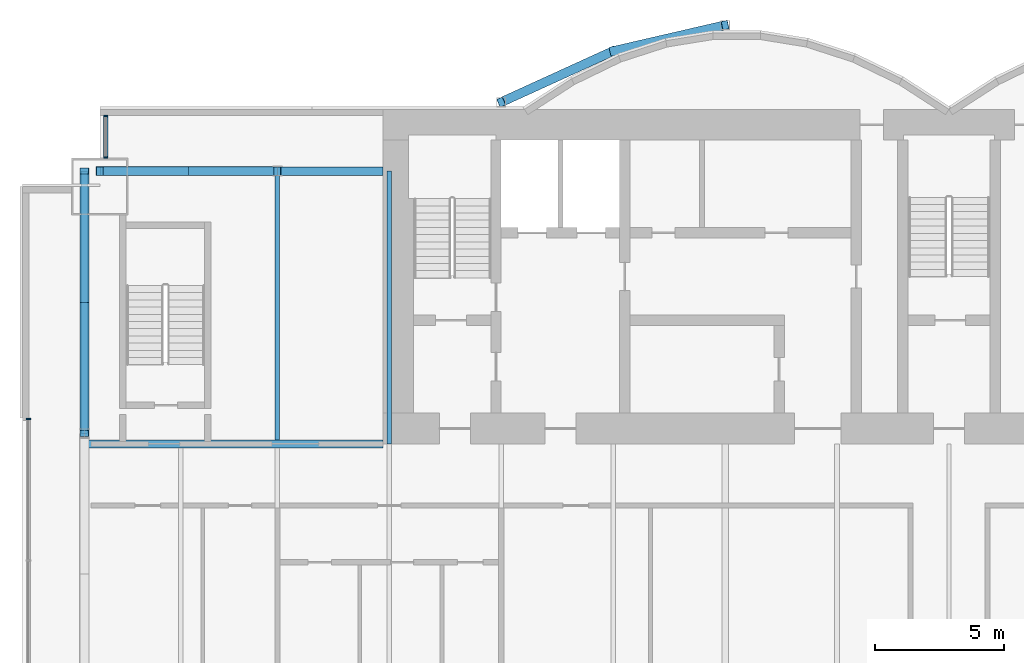
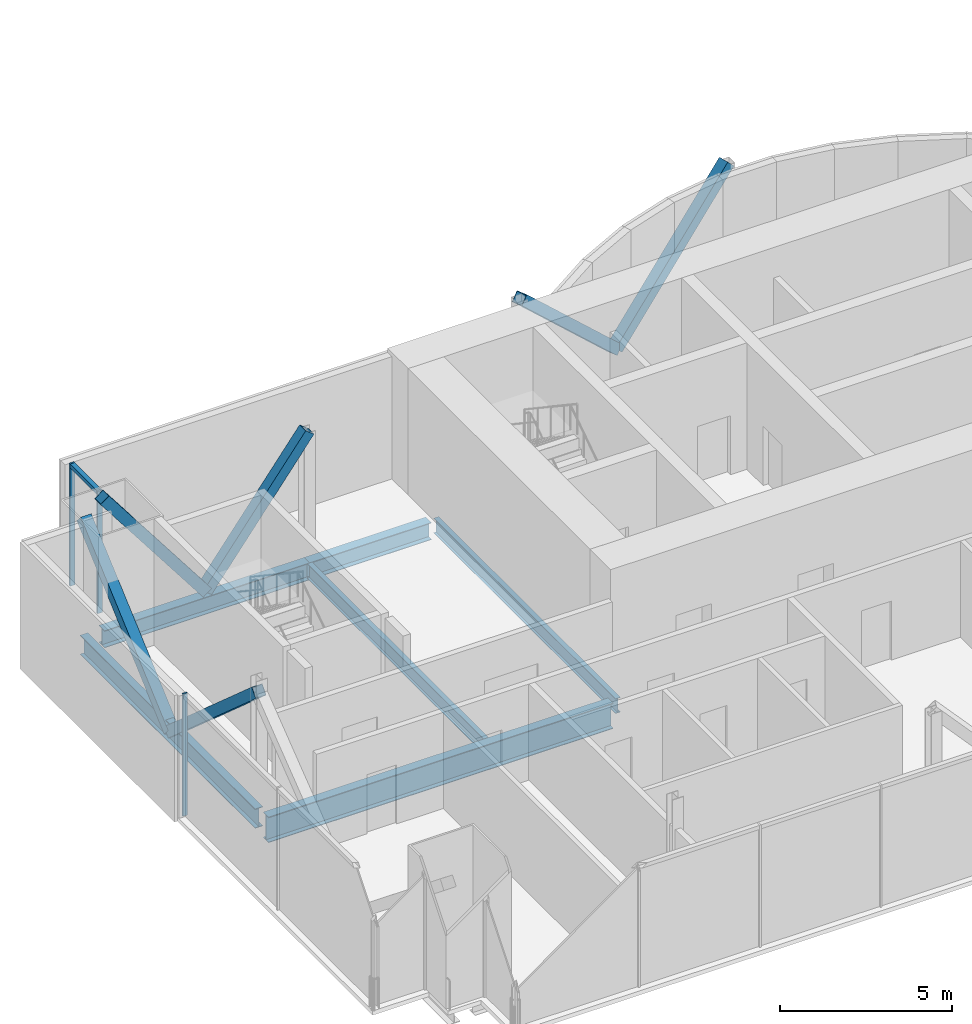
# One storey, part 7 of 18: 10 members, 6 beams, 2 elements without a shape of their own.
"""IFC4 building model written with IfcOpenShell, lengths in metres."""

from ifc_helpers import new_model, si_unit, direction, frame, origin, origin_2d, place, context, subcontext, project, spatial, rectangle, hollow_rectangle, i_section, extrude, material, material_profile, profile_set, type_object, element, aggregate, save


model = new_model("IFC4")

# Units and contexts
model_context = context("Model", 3, precision=1e-05, world=origin(), true_north=direction((0.0, 1.0)))
body_context = subcontext(model_context, "Body", "Model", "MODEL_VIEW")
ifc_project = project(units=[si_unit("LENGTHUNIT", "METRE"), si_unit("AREAUNIT", "SQUARE_METRE"), si_unit("VOLUMEUNIT", "CUBIC_METRE"), si_unit("PLANEANGLEUNIT", "RADIAN"), si_unit("MASSUNIT", "GRAM", prefix="KILO")], contexts=[model_context])

# Site, building, storey
site_placement = place(None, origin())
site = spatial("IfcSite", under=ifc_project, at=site_placement, CompositionType="ELEMENT")
building_placement = place(site_placement, origin())
building = spatial("IfcBuilding", under=site, at=building_placement, Name="Bicima Exchange Tower", CompositionType="ELEMENT")
storey_placement = place(building_placement, frame((0.0, 0.0, 311.0)))
storey = spatial("IfcBuildingStorey", under=building, at=storey_placement, Name="L70", CompositionType="ELEMENT", Elevation=311.0)

# Beam
ifc_material_1 = material(Name="Steel ASTM A992 Gr 50", Category="steel")
ifc_material_profile_1 = material_profile(ifc_material_1, i_section(OverallWidth=0.3046875, OverallDepth=0.911865234375, WebThickness=0.015869140625, FlangeThickness=0.02392578125, at=origin_2d()))
ifc_profile_set_1 = profile_set([ifc_material_profile_1], Name="Steel ASTM A992 Gr 50")
beam_type_1 = type_object("IfcBeamType", Name="Core-line girder W36x150", PredefinedType="BEAM", material=ifc_profile_set_1)
beam_1_placement = place(storey_placement, frame((-22.0, -13.0, -0.60595703125), z_axis=(-1.0, 0.0, 0.0), x_axis=(0.0, -1.0, 0.0)))
element("IfcBeam", 1, at=beam_1_placement, inside=storey, type_object=beam_type_1, Name="Core-line girder", PredefinedType="BEAM", context=body_context, shape_type="SweptSolid", body=[
    extrude(i_section(OverallWidth=0.3046875, OverallDepth=0.911865234375, WebThickness=0.015869140625, FlangeThickness=0.02392578125, at=origin_2d()), origin(), (0.0, 0.0, 1.0), 11.60009765625),
])

# Curtain wall, member
ifc_material_2 = material(Name="Anodised bronze aluminium", Category="aluminium")
curtain_wall_type_1 = type_object("IfcCurtainWallType", Name="End face glass wall", PredefinedType="NOTDEFINED", material=ifc_material_2)
curtain_wall_1_placement = place(storey_placement, origin())
curtain_wall_1 = element("IfcCurtainWall", 2, at=curtain_wall_1_placement, inside=storey, type_object=curtain_wall_type_1, Name="End face glass wall L70 run 2", PredefinedType="NOTDEFINED")
ifc_material_profile_2 = material_profile(ifc_material_2, rectangle(XDim=0.159912109375, YDim=0.06005859375, at=origin_2d()))
ifc_profile_set_2 = profile_set([ifc_material_profile_2], Name="Anodised bronze aluminium")
member_type_1 = type_object("IfcMemberType", Name="End face glass wall mullion 60 x 160", PredefinedType="MULLION", material=ifc_profile_set_2)
member_1_placement = place(storey_placement, frame((-35.77001953125, -12.030029296875, 0.0), z_axis=(0.0, 0.0, 1.0), x_axis=(1.0, 0.0, 0.0)))
member_1 = element("IfcMember", 3, at=member_1_placement, type_object=member_type_1, Name="End face glass wall mullion 1", PredefinedType="MULLION", context=body_context, shape_type="SweptSolid", body=[
    extrude(rectangle(XDim=0.159912109375, YDim=0.06005859375, at=origin_2d()), origin(), (0.0, 0.0, 1.0), 4.35009765625),
])
aggregate(curtain_wall_1, [member_1])

# Beams
ifc_material_profile_3 = material_profile(ifc_material_1, i_section(OverallWidth=0.256591796875, OverallDepth=0.693359375, WebThickness=0.014404296875, FlangeThickness=0.023681640625, at=origin_2d()))
ifc_profile_set_3 = profile_set([ifc_material_profile_3], Name="Steel ASTM A992 Gr 50")
beam_type_2 = type_object("IfcBeamType", Name="End girder W27x114", PredefinedType="BEAM", material=ifc_profile_set_3)
beam_2_placement = place(storey_placement, frame((-33.60009765625, -2.39990234375, -0.49658203125), z_axis=(0.0, -1.0, 0.0), x_axis=(1.0, 0.0, 0.0)))
element("IfcBeam", 4, at=beam_2_placement, inside=storey, type_object=beam_type_2, Name="End girder", PredefinedType="BEAM", context=body_context, shape_type="SweptSolid", body=[
    extrude(i_section(OverallWidth=0.256591796875, OverallDepth=0.693359375, WebThickness=0.014404296875, FlangeThickness=0.023681640625, at=origin_2d()), origin(), (0.0, 0.0, 1.0), 10.2001953125),
])
ifc_material_profile_4 = material_profile(ifc_material_1, i_section(OverallWidth=0.165771484375, OverallDepth=0.5283203125, WebThickness=0.009765625, FlangeThickness=0.013671875, at=origin_2d()))
ifc_profile_set_4 = profile_set([ifc_material_profile_4], Name="Steel ASTM A992 Gr 50")
beam_type_3 = type_object("IfcBeamType", Name="Floor beam W21x50", PredefinedType="JOIST", material=ifc_profile_set_4)
beam_3_placement = place(storey_placement, frame((-26.10009765625, -2.5625, -0.414306640625), z_axis=(0.0, -1.0, 0.0), x_axis=(1.0, 0.0, 0.0)))
element("IfcBeam", 5, at=beam_3_placement, inside=storey, type_object=beam_type_3, Name="Floor beam", PredefinedType="JOIST", context=body_context, shape_type="SweptSolid", body=[
    extrude(i_section(OverallWidth=0.165771484375, OverallDepth=0.5283203125, WebThickness=0.009765625, FlangeThickness=0.013671875, at=origin_2d()), origin(), (0.0, 0.0, 1.0), 10.28515625),
])
beam_4_placement = place(storey_placement, frame((-21.75, -2.39990234375, -0.414306640625), z_axis=(0.0, -1.0, 0.0), x_axis=(1.0, 0.0, 0.0)))
element("IfcBeam", 6, at=beam_4_placement, inside=storey, type_object=beam_type_3, Name="Floor beam", PredefinedType="JOIST", context=body_context, shape_type="SweptSolid", body=[
    extrude(i_section(OverallWidth=0.165771484375, OverallDepth=0.5283203125, WebThickness=0.009765625, FlangeThickness=0.013671875, at=origin_2d()), origin(), (0.0, 0.0, 1.0), 10.60009765625),
])

# Curtain wall, members
curtain_wall_type_2 = type_object("IfcCurtainWallType", Name="Front glass wall", PredefinedType="NOTDEFINED", material=ifc_material_2)
curtain_wall_2_placement = place(storey_placement, origin())
curtain_wall_2 = element("IfcCurtainWall", 7, at=curtain_wall_2_placement, inside=storey, type_object=curtain_wall_type_2, Name="Front glass wall L70 run 1", PredefinedType="NOTDEFINED")
member_type_2 = type_object("IfcMemberType", Name="Front glass wall mullion 60 x 160", PredefinedType="MULLION", material=ifc_profile_set_2)
member_2_placement = place(storey_placement, frame((-32.77001953125, -0.260009765625, 0.0), z_axis=(0.0, 0.0, 1.0), x_axis=(1.0, 0.0, 0.0)))
member_2 = element("IfcMember", 8, at=member_2_placement, type_object=member_type_2, Name="Front glass wall mullion 1", PredefinedType="MULLION", context=body_context, shape_type="SweptSolid", body=[
    extrude(rectangle(XDim=0.159912109375, YDim=0.06005859375, at=origin_2d()), origin(), (0.0, 0.0, 1.0), 4.35009765625),
])
member_3_placement = place(storey_placement, frame((-32.77001953125, -1.8701171875, 0.0), z_axis=(0.0, 0.0, 1.0), x_axis=(1.0, 0.0, 0.0)))
member_3 = element("IfcMember", 9, at=member_3_placement, type_object=member_type_2, Name="Front glass wall mullion 2", PredefinedType="MULLION", context=body_context, shape_type="SweptSolid", body=[
    extrude(rectangle(XDim=0.159912109375, YDim=0.06005859375, at=origin_2d()), origin(), (0.0, 0.0, 1.0), 4.35009765625),
])
ifc_material_profile_5 = material_profile(ifc_material_2, rectangle(XDim=0.159912109375, YDim=0.139892578125, at=origin_2d()))
ifc_profile_set_5 = profile_set([ifc_material_profile_5], Name="Anodised bronze aluminium")
member_type_3 = type_object("IfcMemberType", Name="Front glass wall transom 140 x 160", PredefinedType="USERDEFINED", material=ifc_profile_set_5)
member_4_placement = place(storey_placement, frame((-32.77001953125, -0.2900390625, 4.280029296875), z_axis=(0.0, -1.0, 0.0), x_axis=(1.0, 0.0, 0.0)))
member_4 = element("IfcMember", 10, at=member_4_placement, type_object=member_type_3, Name="Front glass wall transom 1.1", ObjectType="TRANSOM", PredefinedType="USERDEFINED", context=body_context, shape_type="SweptSolid", body=[
    extrude(rectangle(XDim=0.159912109375, YDim=0.139892578125, at=origin_2d()), origin(), (0.0, 0.0, 1.0), 1.550048828125),
])
aggregate(curtain_wall_2, [member_2, member_3, member_4])

# Members
ifc_material_3 = material(Name="Steel ASTM A572 Gr 50", Category="steel")
ifc_material_profile_6 = material_profile(ifc_material_3, hollow_rectangle(XDim=0.355712890625, YDim=0.355712890625, WallThickness=0.01171875, at=origin_2d()))
ifc_profile_set_6 = profile_set([ifc_material_profile_6], Name="Steel ASTM A572 Gr 50")
member_type_4 = type_object("IfcMemberType", Name="Mega brace HSS14x14x1/2", PredefinedType="BRACE", material=ifc_profile_set_6)
member_5_placement = place(storey_placement, frame((-13.050048828125, 2.262451171875, 0.0), z_axis=(0.686212303743, 0.158786245837, 0.709858860848), x_axis=(-0.225438503722, 0.974257399787, 0.0)))
element("IfcMember", 11, at=member_5_placement, inside=storey, type_object=member_type_4, Name="Mega brace rexo", PredefinedType="BRACE", context=body_context, shape_type="SweptSolid", body=[
    extrude(hollow_rectangle(XDim=0.355712890625, YDim=0.355712890625, WallThickness=0.01171875, at=origin_2d()), origin(), (0.0, 0.0, 1.0), 6.33935546875),
])
member_6_placement = place(storey_placement, frame((-13.050048828125, 2.262451171875, 0.0), z_axis=(-0.662507516739, -0.302231638101, 0.685375683254), x_axis=(0.415045223819, -0.909800781592, 0.0)))
element("IfcMember", 12, at=member_6_placement, inside=storey, type_object=member_type_4, Name="Mega brace rexo", PredefinedType="BRACE", context=body_context, shape_type="SweptSolid", body=[
    extrude(hollow_rectangle(XDim=0.355712890625, YDim=0.355712890625, WallThickness=0.01171875, at=origin_2d()), origin(), (0.0, 0.0, 1.0), 6.565673828125),
])
for number, where, z_axis, x_axis, name in (
    (13, (-29.550048828125, -2.39990234375, 0.0), (0.608426120198, 0.0, 0.793610519248), (0.0, 1.0, 0.0), "Mega brace rear"),
    (14, (-29.550048828125, -2.39990234375, 0.0), (-0.608426120198, 0.0, 0.793610519248), (0.0, -1.0, 0.0), "Mega brace rear"),
):
    element("IfcMember", number, at=place(storey_placement, frame(where, z_axis=z_axis, x_axis=x_axis)), inside=storey, type_object=member_type_4, Name=name, PredefinedType="BRACE", context=body_context, shape_type="SweptSolid", body=[
        extrude(hollow_rectangle(XDim=0.355712890625, YDim=0.355712890625, WallThickness=0.01171875, at=origin_2d()), origin(), (0.0, 0.0, 1.0), 5.670166015625),
    ])
for number, where, z_axis, x_axis, name in (
    (15, (-33.60009765625, -7.5, -0.49658203125), (0.0, -0.749844140428, 0.661614513948), (1.0, 0.0, 0.0), "Mega brace west end"),
    (16, (-33.60009765625, -7.5, -0.49658203125), (0.0, 0.749844140428, 0.661614513948), (-1.0, 0.0, 0.0), "Mega brace west end"),
):
    element("IfcMember", number, at=place(storey_placement, frame(where, z_axis=z_axis, x_axis=x_axis)), inside=storey, type_object=member_type_4, Name=name, PredefinedType="BRACE", context=body_context, shape_type="SweptSolid", body=[
        extrude(hollow_rectangle(XDim=0.355712890625, YDim=0.355712890625, WallThickness=0.01171875, at=origin_2d()), origin(), (0.0, 0.0, 1.0), 6.801513671875),
    ])

# Beams
ifc_material_profile_7 = material_profile(ifc_material_1, i_section(OverallWidth=0.3251953125, OverallDepth=0.612060546875, WebThickness=0.0126953125, FlangeThickness=0.01904296875, at=origin_2d()))
ifc_profile_set_7 = profile_set([ifc_material_profile_7], Name="Steel ASTM A992 Gr 50")
beam_type_4 = type_object("IfcBeamType", Name="Rear girder W24x104", PredefinedType="BEAM", material=ifc_profile_set_7)
beam_5_placement = place(storey_placement, frame((-22.0, -2.39990234375, -0.4560546875), z_axis=(-1.0, 0.0, 0.0), x_axis=(0.0, -1.0, 0.0)))
element("IfcBeam", 17, at=beam_5_placement, inside=storey, type_object=beam_type_4, Name="Rear girder", PredefinedType="BEAM", context=body_context, shape_type="SweptSolid", body=[
    extrude(i_section(OverallWidth=0.3251953125, OverallDepth=0.612060546875, WebThickness=0.0126953125, FlangeThickness=0.01904296875, at=origin_2d()), origin(), (0.0, 0.0, 1.0), 4.10009765625),
])
beam_6_placement = place(storey_placement, frame((-26.10009765625, -2.39990234375, -0.4560546875), z_axis=(-1.0, 0.0, 0.0), x_axis=(0.0, -1.0, 0.0)))
element("IfcBeam", 18, at=beam_6_placement, inside=storey, type_object=beam_type_4, Name="Rear girder", PredefinedType="BEAM", context=body_context, shape_type="SweptSolid", body=[
    extrude(i_section(OverallWidth=0.3251953125, OverallDepth=0.612060546875, WebThickness=0.0126953125, FlangeThickness=0.01904296875, at=origin_2d()), origin(), (0.0, 0.0, 1.0), 6.89990234375),
])

save(model, "model.ifc")
